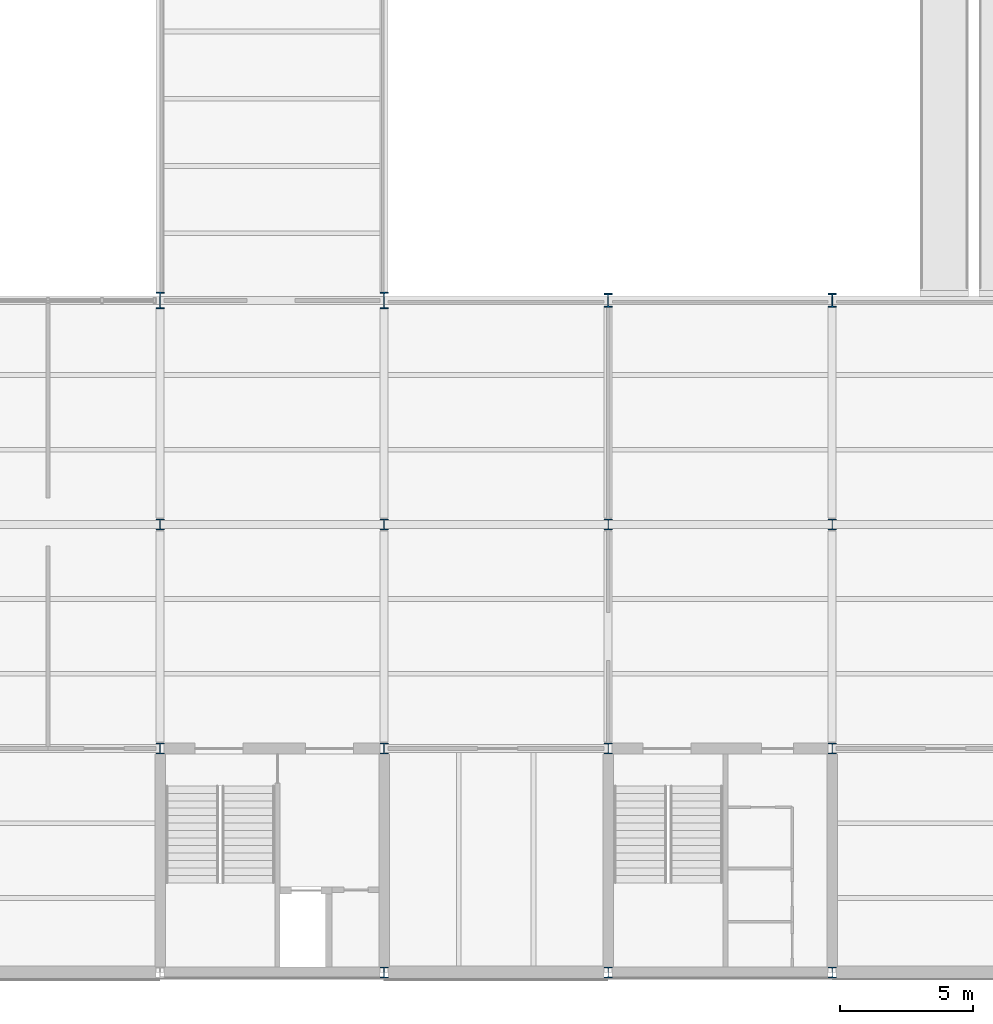
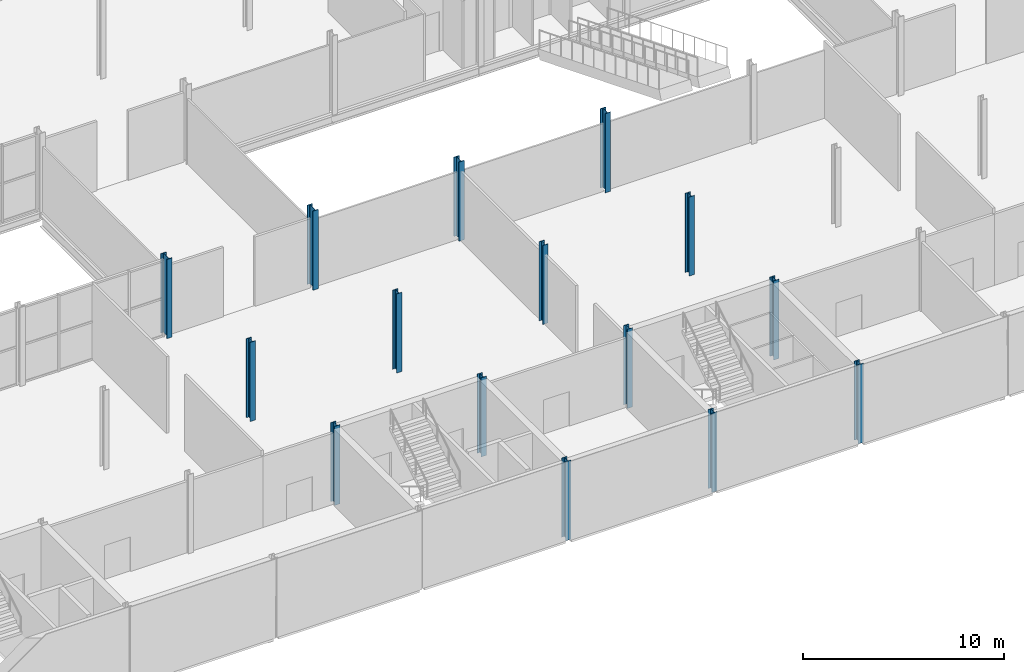
# One storey, part 2 of 52: 15 columns.
"""IFC4 building model written with IfcOpenShell, lengths in metres."""

from ifc_helpers import new_model, si_unit, direction, frame, origin, origin_2d, place, context, subcontext, project, spatial, i_section, extrude, material, material_profile, profile_set, type_object, element, save


model = new_model("IFC4")

# Units and contexts
model_context = context("Model", 3, precision=1e-05, world=origin(), true_north=direction((0.0, 1.0)))
body_context = subcontext(model_context, "Body", "Model", "MODEL_VIEW")
ifc_project = project(units=[si_unit("LENGTHUNIT", "METRE"), si_unit("AREAUNIT", "SQUARE_METRE"), si_unit("VOLUMEUNIT", "CUBIC_METRE"), si_unit("PLANEANGLEUNIT", "RADIAN"), si_unit("MASSUNIT", "GRAM", prefix="KILO")], contexts=[model_context])

# Site, building, storey
site_placement = place(None, origin())
site = spatial("IfcSite", under=ifc_project, at=site_placement, CompositionType="ELEMENT")
building_placement = place(site_placement, origin())
building = spatial("IfcBuilding", under=site, at=building_placement, Name="Galleria Vessillo Department Store", CompositionType="ELEMENT")
storey_placement = place(building_placement, frame((0.0, 0.0, 16.199951171875)))
storey = spatial("IfcBuildingStorey", under=building, at=storey_placement, Name="L03", CompositionType="ELEMENT", Elevation=16.199951171875)

# Columns
ifc_material_1 = material(Name="Steel S355 J2", Category="steel")
ifc_material_profile_1 = material_profile(ifc_material_1, i_section(OverallWidth=0.300048828125, OverallDepth=0.39990234375, WebThickness=0.013427734375, FlangeThickness=0.02392578125, FilletRadius=0.027099609375, at=origin_2d()), Name="HEB 400")
ifc_profile_set_1 = profile_set([ifc_material_profile_1], Name="Steel S355 J2")
column_type_1 = type_object("IfcColumnType", Name="Steel column HEB 400 CP2", PredefinedType="COLUMN", material=ifc_profile_set_1)
for number, where, z_axis, x_axis, name in (
    (1, (33.60009765625, 8.39990234375, 0.0), (0.0, 0.0, 1.0), (1.0, 0.0, 0.0), "S-COL-L03-5-B"),
    (2, (33.60009765625, 16.800048828125, 0.0), (0.0, 0.0, 1.0), (1.0, 0.0, 0.0), "S-COL-L03-5-C"),
    (3, (42.0, 0.0, 0.0), (0.0, 0.0, 1.0), (1.0, 0.0, 0.0), "S-COL-L03-6-A"),
    (4, (42.0, 8.39990234375, 0.0), (0.0, 0.0, 1.0), (1.0, 0.0, 0.0), "S-COL-L03-6-B"),
    (5, (42.0, 16.800048828125, 0.0), (0.0, 0.0, 1.0), (1.0, 0.0, 0.0), "S-COL-L03-6-C"),
    (6, (50.39990234375, 0.0, 0.0), (0.0, 0.0, 1.0), (1.0, 0.0, 0.0), "S-COL-L03-7-A"),
    (7, (50.39990234375, 8.39990234375, 0.0), (0.0, 0.0, 1.0), (1.0, 0.0, 0.0), "S-COL-L03-7-B"),
    (8, (50.39990234375, 16.800048828125, 0.0), (0.0, 0.0, 1.0), (1.0, 0.0, 0.0), "S-COL-L03-7-C"),
    (9, (58.800048828125, 0.0, 0.0), (0.0, 0.0, 1.0), (1.0, 0.0, 0.0), "S-COL-L03-8-A"),
    (10, (58.800048828125, 8.39990234375, 0.0), (0.0, 0.0, 1.0), (1.0, 0.0, 0.0), "S-COL-L03-8-B"),
    (11, (58.800048828125, 16.800048828125, 0.0), (0.0, 0.0, 1.0), (1.0, 0.0, 0.0), "S-COL-L03-8-C"),
):
    element("IfcColumn", number, at=place(storey_placement, frame(where, z_axis=z_axis, x_axis=x_axis)), inside=storey, type_object=column_type_1, Name=name, PredefinedType="COLUMN", context=body_context, shape_type="SweptSolid", body=[
        extrude(i_section(OverallWidth=0.300048828125, OverallDepth=0.39990234375, WebThickness=0.013427734375, FlangeThickness=0.02392578125, FilletRadius=0.027099609375, at=origin_2d()), origin(), (0.0, 0.0, 1.0), 4.800048828125),
    ])
ifc_material_2 = material(Name="Steel S355 J2", Category="steel")
ifc_material_profile_2 = material_profile(ifc_material_2, i_section(OverallWidth=0.305908203125, OverallDepth=0.52392578125, WebThickness=0.02099609375, FlangeThickness=0.0400390625, FilletRadius=0.027099609375, at=origin_2d()), Name="HEM 500")
ifc_profile_set_2 = profile_set([ifc_material_profile_2], Name="Steel S355 J2")
column_type_2 = type_object("IfcColumnType", Name="Steel column HEM 500 CV1", PredefinedType="COLUMN", material=ifc_profile_set_2)
for number, where, z_axis, x_axis, name in (
    (12, (50.39990234375, 25.199951171875, 0.0), (0.0, 0.0, 1.0), (1.0, 0.0, 0.0), "S-COL-L03-7-D"),
    (13, (58.800048828125, 25.199951171875, 0.0), (0.0, 0.0, 1.0), (1.0, 0.0, 0.0), "S-COL-L03-8-D"),
):
    element("IfcColumn", number, at=place(storey_placement, frame(where, z_axis=z_axis, x_axis=x_axis)), inside=storey, type_object=column_type_2, Name=name, PredefinedType="COLUMN", context=body_context, shape_type="SweptSolid", body=[
        extrude(i_section(OverallWidth=0.305908203125, OverallDepth=0.52392578125, WebThickness=0.02099609375, FlangeThickness=0.0400390625, FilletRadius=0.027099609375, at=origin_2d()), origin(), (0.0, 0.0, 1.0), 4.800048828125),
    ])
ifc_material_3 = material(Name="Steel S355 J2", Category="steel")
ifc_material_profile_3 = material_profile(ifc_material_3, i_section(OverallWidth=0.304931640625, OverallDepth=0.6201171875, WebThickness=0.02099609375, FlangeThickness=0.0400390625, FilletRadius=0.027099609375, at=origin_2d()), Name="HEM 600")
ifc_profile_set_3 = profile_set([ifc_material_profile_3], Name="Steel S355 J2")
column_type_3 = type_object("IfcColumnType", Name="Steel column HEM 600 CV2", PredefinedType="COLUMN", material=ifc_profile_set_3)
for number, where, z_axis, x_axis, name in (
    (14, (33.60009765625, 25.199951171875, 0.0), (0.0, 0.0, 1.0), (1.0, 0.0, 0.0), "S-COL-L03-5-D"),
    (15, (42.0, 25.199951171875, 0.0), (0.0, 0.0, 1.0), (1.0, 0.0, 0.0), "S-COL-L03-6-D"),
):
    element("IfcColumn", number, at=place(storey_placement, frame(where, z_axis=z_axis, x_axis=x_axis)), inside=storey, type_object=column_type_3, Name=name, PredefinedType="COLUMN", context=body_context, shape_type="SweptSolid", body=[
        extrude(i_section(OverallWidth=0.304931640625, OverallDepth=0.6201171875, WebThickness=0.02099609375, FlangeThickness=0.0400390625, FilletRadius=0.027099609375, at=origin_2d()), origin(), (0.0, 0.0, 1.0), 4.800048828125),
    ])

save(model, "model.ifc")
